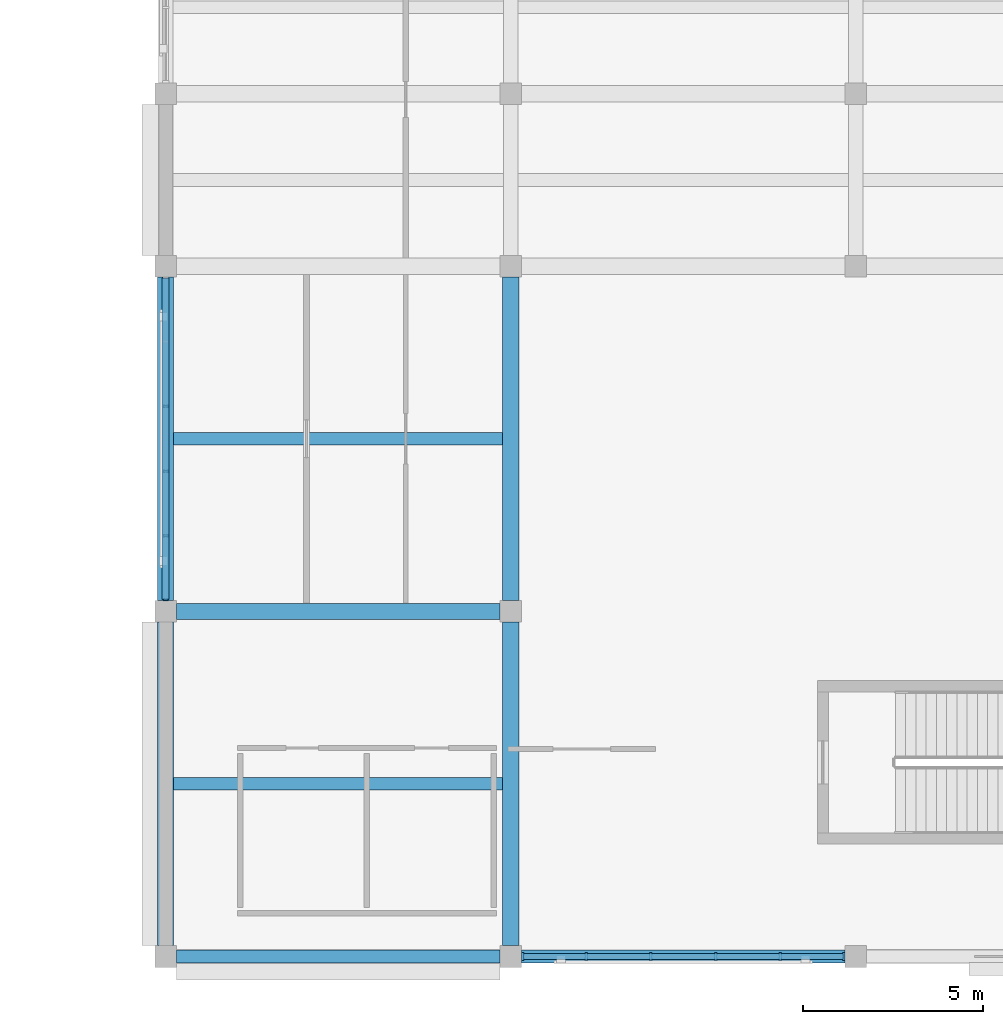
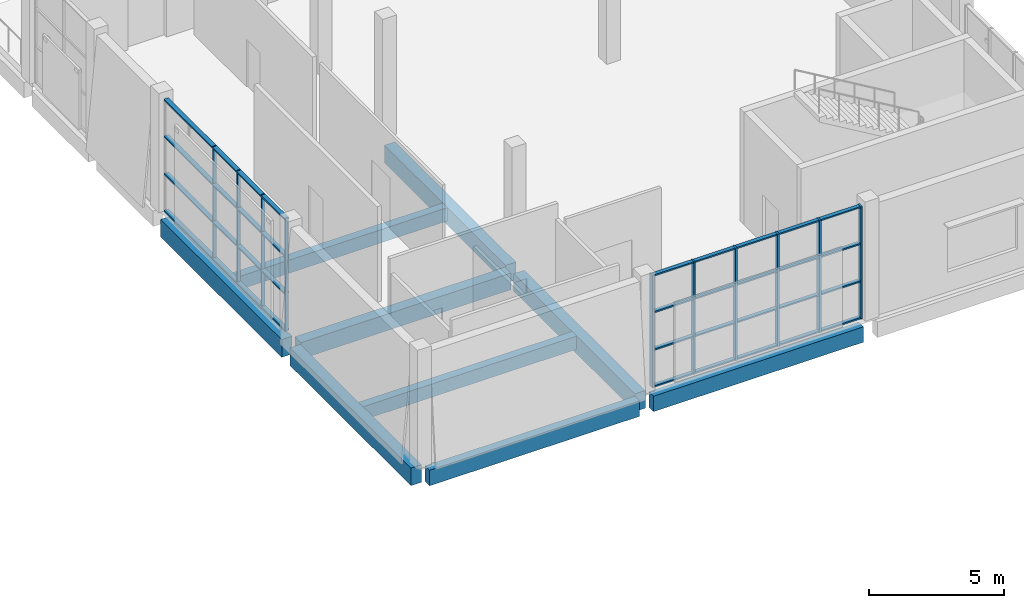
# One storey, part 10 of 72: 18 members, 9 beams, 2 elements without a shape of their own.
"""IFC4 building model written with IfcOpenShell, lengths in metres."""

from ifc_helpers import new_model, si_unit, direction, frame, origin, origin_2d, place, context, subcontext, project, spatial, rectangle, extrude, material, material_profile, profile_set, type_object, element, aggregate, save


model = new_model("IFC4")

# Units and contexts
model_context = context("Model", 3, precision=1e-05, world=origin(), true_north=direction((0.0, 1.0)))
body_context = subcontext(model_context, "Body", "Model", "MODEL_VIEW")
ifc_project = project(units=[si_unit("LENGTHUNIT", "METRE"), si_unit("AREAUNIT", "SQUARE_METRE"), si_unit("VOLUMEUNIT", "CUBIC_METRE"), si_unit("PLANEANGLEUNIT", "RADIAN"), si_unit("MASSUNIT", "GRAM", prefix="KILO")], contexts=[model_context])

# Site, building, storey
site_placement = place(None, origin())
site = spatial("IfcSite", under=ifc_project, at=site_placement, CompositionType="ELEMENT")
building_placement = place(site_placement, origin())
building = spatial("IfcBuilding", under=site, at=building_placement, Name="Shalvenor Court Art Gallery", CompositionType="ELEMENT")
storey_placement = place(building_placement, frame((0.0, 0.0, 11.39990234375)))
storey = spatial("IfcBuildingStorey", under=building, at=storey_placement, Name="L02", CompositionType="ELEMENT", Elevation=11.39990234375)

# Beams
ifc_material_1 = material(Name="Concrete C40/50", Category="concrete")
ifc_material_profile_1 = material_profile(ifc_material_1, rectangle(XDim=0.449951171875, YDim=0.800048828125, at=origin_2d()), Name="RC 450x800")
ifc_profile_set_1 = profile_set([ifc_material_profile_1], Name="Concrete C40/50")
beam_type_1 = type_object("IfcBeamType", Name="B-03", PredefinedType="BEAM", material=ifc_profile_set_1)
for number, where, z_axis, x_axis, name in (
    (1, (96.0, 0.300048828125, -0.719970703125), (0.0, 1.0, 0.0), (-1.0, 0.0, 0.0), "L02 Girder BM-L02-B-03-0742"),
    (2, (96.0, 9.89990234375, -0.719970703125), (0.0, 1.0, 0.0), (-1.0, 0.0, 0.0), "L02 Girder BM-L02-B-03-0743"),
    (3, (105.60009765625, 0.300048828125, -0.719970703125), (0.0, 1.0, 0.0), (-1.0, 0.0, 0.0), "L02 Girder BM-L02-B-03-0750"),
    (4, (105.60009765625, 9.89990234375, -0.719970703125), (0.0, 1.0, 0.0), (-1.0, 0.0, 0.0), "L02 Girder BM-L02-B-03-0751"),
):
    element("IfcBeam", number, at=place(storey_placement, frame(where, z_axis=z_axis, x_axis=x_axis)), inside=storey, type_object=beam_type_1, Name=name, PredefinedType="BEAM", context=body_context, shape_type="SweptSolid", body=[
        extrude(rectangle(XDim=0.449951171875, YDim=0.800048828125, at=origin_2d()), origin(), (0.0, 0.0, 1.0), 9.0),
    ])
ifc_material_2 = material(Name="Concrete C40/50", Category="concrete")
ifc_material_profile_2 = material_profile(ifc_material_2, rectangle(XDim=0.449951171875, YDim=0.75, at=origin_2d()), Name="RC 450x750")
ifc_profile_set_2 = profile_set([ifc_material_profile_2], Name="Concrete C40/50")
beam_type_2 = type_object("IfcBeamType", Name="B-04", PredefinedType="BEAM", material=ifc_profile_set_2)
beam_placement = place(storey_placement, frame((96.300048828125, 9.60009765625, -0.69482421875), z_axis=(1.0, 0.0, 0.0), x_axis=(0.0, 1.0, 0.0)))
element("IfcBeam", 5, at=beam_placement, inside=storey, type_object=beam_type_2, Name="L02 Girder BM-L02-B-04-0814", PredefinedType="BEAM", context=body_context, shape_type="SweptSolid", body=[
    extrude(rectangle(XDim=0.449951171875, YDim=0.75, at=origin_2d()), origin(), (0.0, 0.0, 1.0), 9.0),
])

# Curtain wall, members
ifc_material_3 = material(Name="Anodised aluminium and low-iron glass curtain wall", Category="aluminium")
curtain_wall_type_1 = type_object("IfcCurtainWallType", Name="CW-5x3-90-51-422", PredefinedType="USERDEFINED", material=ifc_material_3)
curtain_wall_1_placement = place(storey_placement, origin())
curtain_wall_1 = element("IfcCurtainWall", 6, at=curtain_wall_1_placement, inside=storey, type_object=curtain_wall_type_1, Name="L02 V3 Curtain Wall CW-L02-106", ObjectType="CURTAIN WALL", PredefinedType="USERDEFINED")
ifc_material_4 = material(Name="Anodised aluminium mullion", Category="aluminium")
ifc_material_profile_3 = material_profile(ifc_material_4, rectangle(XDim=0.074951171875, YDim=0.219970703125, at=origin_2d()), Name="CWM-04")
ifc_profile_set_3 = profile_set([ifc_material_profile_3], Name="Anodised aluminium mullion")
member_type_1 = type_object("IfcMemberType", Name="CWM-04", PredefinedType="MULLION", material=ifc_profile_set_3)
member_1_placement = place(storey_placement, frame((114.862548828125, 0.0, 0.0), z_axis=(0.0, 0.0, 1.0), x_axis=(-1.0, 0.0, 0.0)))
member_1 = element("IfcMember", 7, at=member_1_placement, type_object=member_type_1, Name="CW-5x3-90-51-422 mullion 1", PredefinedType="MULLION", context=body_context, shape_type="SweptSolid", body=[
    extrude(rectangle(XDim=0.074951171875, YDim=0.219970703125, at=origin_2d()), origin(), (0.0, 0.0, 1.0), 5.10009765625),
])
member_2_placement = place(storey_placement, frame((113.10009765625, 0.0, 0.0), z_axis=(0.0, 0.0, 1.0), x_axis=(-1.0, 0.0, 0.0)))
member_2 = element("IfcMember", 8, at=member_2_placement, type_object=member_type_1, Name="CW-5x3-90-51-422 mullion 2", PredefinedType="MULLION", context=body_context, shape_type="SweptSolid", body=[
    extrude(rectangle(XDim=0.074951171875, YDim=0.219970703125, at=origin_2d()), origin(), (0.0, 0.0, 1.0), 5.10009765625),
])
member_3_placement = place(storey_placement, frame((111.300048828125, 0.0, 0.0), z_axis=(0.0, 0.0, 1.0), x_axis=(-1.0, 0.0, 0.0)))
member_3 = element("IfcMember", 9, at=member_3_placement, type_object=member_type_1, Name="CW-5x3-90-51-422 mullion 3", PredefinedType="MULLION", context=body_context, shape_type="SweptSolid", body=[
    extrude(rectangle(XDim=0.074951171875, YDim=0.219970703125, at=origin_2d()), origin(), (0.0, 0.0, 1.0), 5.10009765625),
])
member_4_placement = place(storey_placement, frame((109.5, 0.0, 0.0), z_axis=(0.0, 0.0, 1.0), x_axis=(-1.0, 0.0, 0.0)))
member_4 = element("IfcMember", 10, at=member_4_placement, type_object=member_type_1, Name="CW-5x3-90-51-422 mullion 4", PredefinedType="MULLION", context=body_context, shape_type="SweptSolid", body=[
    extrude(rectangle(XDim=0.074951171875, YDim=0.219970703125, at=origin_2d()), origin(), (0.0, 0.0, 1.0), 5.10009765625),
])
member_5_placement = place(storey_placement, frame((107.699951171875, 0.0, 0.0), z_axis=(0.0, 0.0, 1.0), x_axis=(-1.0, 0.0, 0.0)))
member_5 = element("IfcMember", 11, at=member_5_placement, type_object=member_type_1, Name="CW-5x3-90-51-422 mullion 5", PredefinedType="MULLION", context=body_context, shape_type="SweptSolid", body=[
    extrude(rectangle(XDim=0.074951171875, YDim=0.219970703125, at=origin_2d()), origin(), (0.0, 0.0, 1.0), 5.10009765625),
])
member_6_placement = place(storey_placement, frame((105.9375, 0.0, 0.0), z_axis=(0.0, 0.0, 1.0), x_axis=(-1.0, 0.0, 0.0)))
member_6 = element("IfcMember", 12, at=member_6_placement, type_object=member_type_1, Name="CW-5x3-90-51-422 mullion 6", PredefinedType="MULLION", context=body_context, shape_type="SweptSolid", body=[
    extrude(rectangle(XDim=0.074951171875, YDim=0.219970703125, at=origin_2d()), origin(), (0.0, 0.0, 1.0), 5.10009765625),
])

ifc_material_5 = material(Name="Anodised aluminium and low-iron glass curtain wall", Category="aluminium")
curtain_wall_type_2 = type_object("IfcCurtainWallType", Name="CW-5x3-90-51-642", PredefinedType="USERDEFINED", material=ifc_material_5)
curtain_wall_2_placement = place(storey_placement, origin())
curtain_wall_2 = element("IfcCurtainWall", 13, at=curtain_wall_2_placement, inside=storey, type_object=curtain_wall_type_2, Name="L02 V3 Curtain Wall CW-L02-107", ObjectType="CURTAIN WALL", PredefinedType="USERDEFINED")
ifc_material_6 = material(Name="Anodised aluminium mullion", Category="aluminium")
ifc_material_profile_4 = material_profile(ifc_material_6, rectangle(XDim=0.054931640625, YDim=0.139892578125, at=origin_2d()), Name="CWM-06")
ifc_profile_set_4 = profile_set([ifc_material_profile_4], Name="Anodised aluminium mullion")
member_type_2 = type_object("IfcMemberType", Name="CWM-06", PredefinedType="MULLION", material=ifc_profile_set_4)
member_7_placement = place(storey_placement, frame((96.0, 9.927490234375, 0.0), z_axis=(0.0, 0.0, 1.0), x_axis=(0.0, 1.0, 0.0)))
member_7 = element("IfcMember", 14, at=member_7_placement, type_object=member_type_2, Name="CW-5x3-90-51-642 mullion 1", PredefinedType="MULLION", context=body_context, shape_type="SweptSolid", body=[
    extrude(rectangle(XDim=0.054931640625, YDim=0.139892578125, at=origin_2d()), origin(), (0.0, 0.0, 1.0), 5.10009765625),
])
member_8_placement = place(storey_placement, frame((96.0, 11.699951171875, 0.0), z_axis=(0.0, 0.0, 1.0), x_axis=(0.0, 1.0, 0.0)))
member_8 = element("IfcMember", 15, at=member_8_placement, type_object=member_type_2, Name="CW-5x3-90-51-642 mullion 2", PredefinedType="MULLION", context=body_context, shape_type="SweptSolid", body=[
    extrude(rectangle(XDim=0.054931640625, YDim=0.139892578125, at=origin_2d()), origin(), (0.0, 0.0, 1.0), 5.10009765625),
])
member_9_placement = place(storey_placement, frame((96.0, 13.5, 0.0), z_axis=(0.0, 0.0, 1.0), x_axis=(0.0, 1.0, 0.0)))
member_9 = element("IfcMember", 16, at=member_9_placement, type_object=member_type_2, Name="CW-5x3-90-51-642 mullion 3", PredefinedType="MULLION", context=body_context, shape_type="SweptSolid", body=[
    extrude(rectangle(XDim=0.054931640625, YDim=0.139892578125, at=origin_2d()), origin(), (0.0, 0.0, 1.0), 5.10009765625),
])
member_10_placement = place(storey_placement, frame((96.0, 15.300048828125, 0.0), z_axis=(0.0, 0.0, 1.0), x_axis=(0.0, 1.0, 0.0)))
member_10 = element("IfcMember", 17, at=member_10_placement, type_object=member_type_2, Name="CW-5x3-90-51-642 mullion 4", PredefinedType="MULLION", context=body_context, shape_type="SweptSolid", body=[
    extrude(rectangle(XDim=0.054931640625, YDim=0.139892578125, at=origin_2d()), origin(), (0.0, 0.0, 1.0), 5.10009765625),
])

# Member
ifc_material_7 = material(Name="Anodised aluminium transom", Category="aluminium")
ifc_material_profile_5 = material_profile(ifc_material_7, rectangle(XDim=0.169921875, YDim=0.06494140625, at=origin_2d()), Name="CWT-02")
ifc_profile_set_5 = profile_set([ifc_material_profile_5], Name="Anodised aluminium transom")
member_type_3 = type_object("IfcMemberType", Name="CWT-02", PredefinedType="USERDEFINED", material=ifc_profile_set_5)
member_11_placement = place(storey_placement, frame((114.862548828125, 0.0, 0.03271484375), z_axis=(-1.0, 0.0, 0.0), x_axis=(0.0, -1.0, 0.0)))
member_11 = element("IfcMember", 18, at=member_11_placement, type_object=member_type_3, Name="CW-5x3-90-51-422 transom 1", ObjectType="TRANSOM", PredefinedType="USERDEFINED", context=body_context, shape_type="SweptSolid", body=[
    extrude(rectangle(XDim=0.169921875, YDim=0.06494140625, at=origin_2d()), origin(), (0.0, 0.0, 1.0), 8.925048828125),
])

member_12_placement = place(storey_placement, frame((114.862548828125, 0.0, 1.7001953125), z_axis=(-1.0, 0.0, 0.0), x_axis=(0.0, -1.0, 0.0)))
member_12 = element("IfcMember", 19, at=member_12_placement, type_object=member_type_3, Name="CW-5x3-90-51-422 transom 2", ObjectType="TRANSOM", PredefinedType="USERDEFINED", context=body_context, shape_type="SweptSolid", body=[
    extrude(rectangle(XDim=0.169921875, YDim=0.06494140625, at=origin_2d()), origin(), (0.0, 0.0, 1.0), 8.925048828125),
])

member_13_placement = place(storey_placement, frame((114.862548828125, 0.0, 3.400146484375), z_axis=(-1.0, 0.0, 0.0), x_axis=(0.0, -1.0, 0.0)))
member_13 = element("IfcMember", 20, at=member_13_placement, type_object=member_type_3, Name="CW-5x3-90-51-422 transom 3", ObjectType="TRANSOM", PredefinedType="USERDEFINED", context=body_context, shape_type="SweptSolid", body=[
    extrude(rectangle(XDim=0.169921875, YDim=0.06494140625, at=origin_2d()), origin(), (0.0, 0.0, 1.0), 8.925048828125),
])

member_14_placement = place(storey_placement, frame((114.862548828125, 0.0, 5.067626953125), z_axis=(-1.0, 0.0, 0.0), x_axis=(0.0, -1.0, 0.0)))
member_14 = element("IfcMember", 21, at=member_14_placement, type_object=member_type_3, Name="CW-5x3-90-51-422 transom 4", ObjectType="TRANSOM", PredefinedType="USERDEFINED", context=body_context, shape_type="SweptSolid", body=[
    extrude(rectangle(XDim=0.169921875, YDim=0.06494140625, at=origin_2d()), origin(), (0.0, 0.0, 1.0), 8.925048828125),
])

aggregate(curtain_wall_1, [member_1, member_2, member_3, member_4, member_5, member_6, member_11, member_12, member_13, member_14])

ifc_material_8 = material(Name="Anodised aluminium transom", Category="aluminium")
ifc_material_profile_6 = material_profile(ifc_material_8, rectangle(XDim=0.18994140625, YDim=0.070068359375, at=origin_2d()), Name="CWT-04")
ifc_profile_set_6 = profile_set([ifc_material_profile_6], Name="Anodised aluminium transom")
member_type_4 = type_object("IfcMemberType", Name="CWT-04", PredefinedType="USERDEFINED", material=ifc_profile_set_6)
member_15_placement = place(storey_placement, frame((96.0, 9.927490234375, 0.03515625), z_axis=(0.0, 1.0, 0.0), x_axis=(-1.0, 0.0, 0.0)))
member_15 = element("IfcMember", 22, at=member_15_placement, type_object=member_type_4, Name="CW-5x3-90-51-642 transom 1", ObjectType="TRANSOM", PredefinedType="USERDEFINED", context=body_context, shape_type="SweptSolid", body=[
    extrude(rectangle(XDim=0.18994140625, YDim=0.070068359375, at=origin_2d()), origin(), (0.0, 0.0, 1.0), 8.945068359375),
])

member_16_placement = place(storey_placement, frame((96.0, 9.927490234375, 1.7001953125), z_axis=(0.0, 1.0, 0.0), x_axis=(-1.0, 0.0, 0.0)))
member_16 = element("IfcMember", 23, at=member_16_placement, type_object=member_type_4, Name="CW-5x3-90-51-642 transom 2", ObjectType="TRANSOM", PredefinedType="USERDEFINED", context=body_context, shape_type="SweptSolid", body=[
    extrude(rectangle(XDim=0.18994140625, YDim=0.070068359375, at=origin_2d()), origin(), (0.0, 0.0, 1.0), 8.945068359375),
])

member_17_placement = place(storey_placement, frame((96.0, 9.927490234375, 3.400146484375), z_axis=(0.0, 1.0, 0.0), x_axis=(-1.0, 0.0, 0.0)))
member_17 = element("IfcMember", 24, at=member_17_placement, type_object=member_type_4, Name="CW-5x3-90-51-642 transom 3", ObjectType="TRANSOM", PredefinedType="USERDEFINED", context=body_context, shape_type="SweptSolid", body=[
    extrude(rectangle(XDim=0.18994140625, YDim=0.070068359375, at=origin_2d()), origin(), (0.0, 0.0, 1.0), 8.945068359375),
])

member_18_placement = place(storey_placement, frame((96.0, 9.927490234375, 5.065185546875), z_axis=(0.0, 1.0, 0.0), x_axis=(-1.0, 0.0, 0.0)))
member_18 = element("IfcMember", 25, at=member_18_placement, type_object=member_type_4, Name="CW-5x3-90-51-642 transom 4", ObjectType="TRANSOM", PredefinedType="USERDEFINED", context=body_context, shape_type="SweptSolid", body=[
    extrude(rectangle(XDim=0.18994140625, YDim=0.070068359375, at=origin_2d()), origin(), (0.0, 0.0, 1.0), 8.945068359375),
])

aggregate(curtain_wall_2, [member_7, member_8, member_9, member_10, member_15, member_16, member_17, member_18])

# Beams
ifc_material_9 = material(Name="Concrete C40/50", Category="concrete")
ifc_material_profile_7 = material_profile(ifc_material_9, rectangle(XDim=0.35009765625, YDim=0.60009765625, at=origin_2d()), Name="RC 350x600")
ifc_profile_set_7 = profile_set([ifc_material_profile_7], Name="Concrete C40/50")
beam_type_3 = type_object("IfcBeamType", Name="J-01", PredefinedType="JOIST", material=ifc_profile_set_7)
for number, where, z_axis, x_axis, name in (
    (26, (96.22509765625, 4.800048828125, -0.619873046875), (1.0, 0.0, 0.0), (0.0, 1.0, 0.0), "L02 Secondary Beam JST-L02-J-01-0937"),
    (27, (96.22509765625, 14.39990234375, -0.619873046875), (1.0, 0.0, 0.0), (0.0, 1.0, 0.0), "L02 Secondary Beam JST-L02-J-01-0938"),
):
    element("IfcBeam", number, at=place(storey_placement, frame(where, z_axis=z_axis, x_axis=x_axis)), inside=storey, type_object=beam_type_3, Name=name, PredefinedType="JOIST", context=body_context, shape_type="SweptSolid", body=[
        extrude(rectangle(XDim=0.35009765625, YDim=0.60009765625, at=origin_2d()), origin(), (0.0, 0.0, 1.0), 9.14990234375),
    ])
ifc_material_10 = material(Name="Concrete C40/50", Category="concrete")
ifc_material_profile_8 = material_profile(ifc_material_10, rectangle(XDim=0.35009765625, YDim=0.699951171875, at=origin_2d()), Name="RC 350x700")
ifc_profile_set_8 = profile_set([ifc_material_profile_8], Name="Concrete C40/50")
beam_type_4 = type_object("IfcBeamType", Name="SP-01", PredefinedType="SPANDREL", material=ifc_profile_set_8)
for number, where, z_axis, x_axis, name in (
    (28, (96.300048828125, 0.0, -0.669921875), (1.0, 0.0, 0.0), (0.0, 1.0, 0.0), "L02 Spandrel Girder BM-L02-SP-01-0804"),
    (29, (105.89990234375, 0.0, -0.669921875), (1.0, 0.0, 0.0), (0.0, 1.0, 0.0), "L02 Spandrel Girder BM-L02-SP-01-0805"),
):
    element("IfcBeam", number, at=place(storey_placement, frame(where, z_axis=z_axis, x_axis=x_axis)), inside=storey, type_object=beam_type_4, Name=name, PredefinedType="SPANDREL", context=body_context, shape_type="SweptSolid", body=[
        extrude(rectangle(XDim=0.35009765625, YDim=0.699951171875, at=origin_2d()), origin(), (0.0, 0.0, 1.0), 9.0),
    ])

save(model, "model.ifc")
